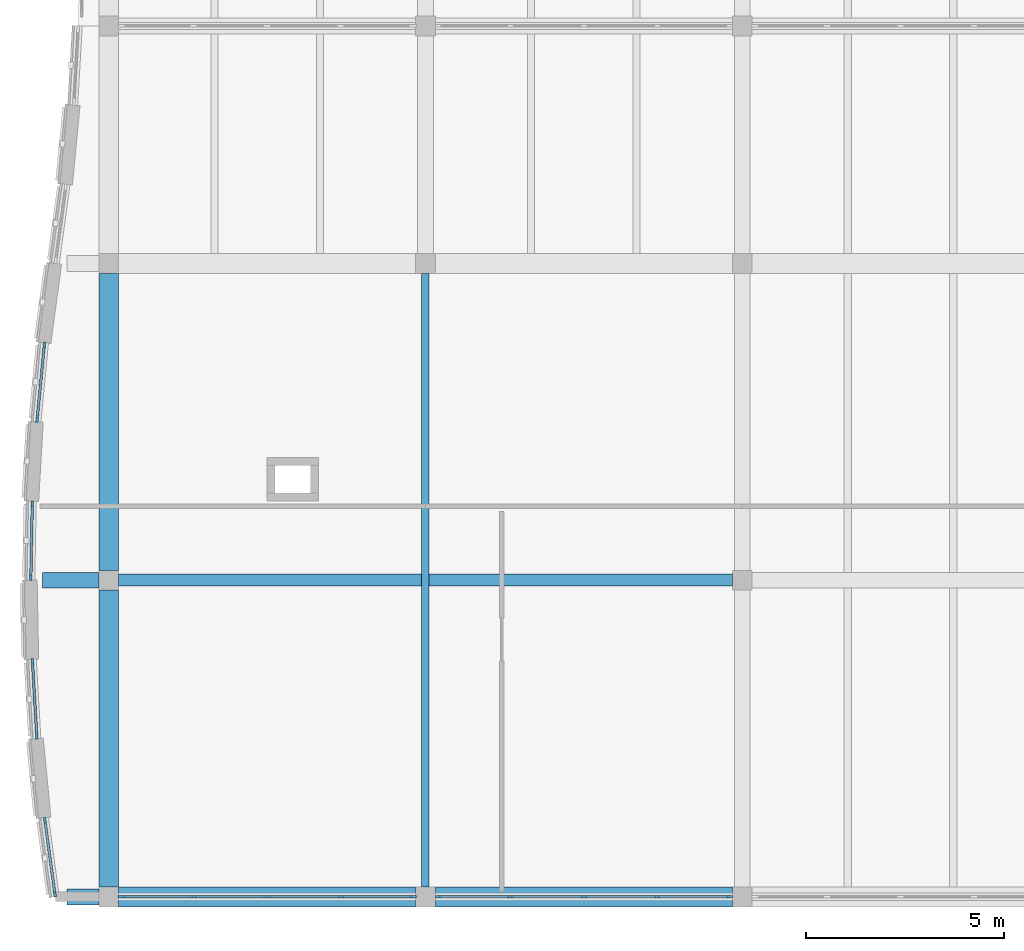
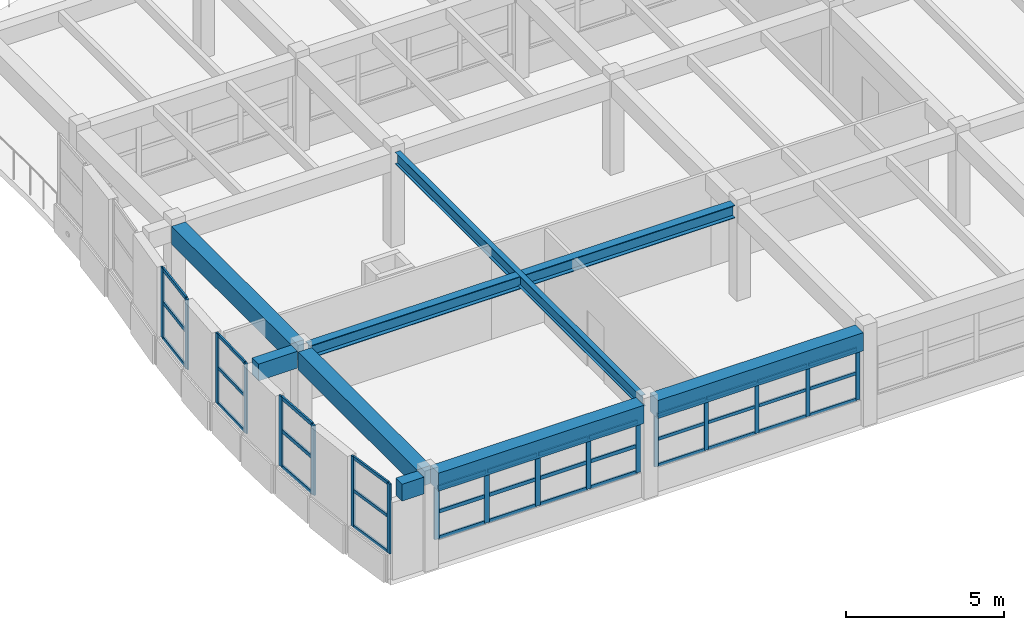
# One storey, part 4 of 89: 54 members, 8 beams, 6 elements without a shape of their own.
"""IFC4 building model written with IfcOpenShell, lengths in metres."""

from ifc_helpers import new_model, si_unit, direction, frame, origin, origin_2d, place, context, subcontext, project, spatial, rectangle, i_section, extrude, material, layer, layer_set, material_profile, profile_set, type_object, element, aggregate, save


model = new_model("IFC4")

# Units and contexts
model_context = context("Model", 3, precision=1e-05, world=origin(), true_north=direction((0.0, 1.0)))
body_context = subcontext(model_context, "Body", "Model", "MODEL_VIEW")
ifc_project = project(units=[si_unit("LENGTHUNIT", "METRE"), si_unit("AREAUNIT", "SQUARE_METRE"), si_unit("VOLUMEUNIT", "CUBIC_METRE"), si_unit("PLANEANGLEUNIT", "RADIAN"), si_unit("MASSUNIT", "GRAM", prefix="KILO")], contexts=[model_context])

# Site, building, storey
site_placement = place(None, origin())
site = spatial("IfcSite", under=ifc_project, at=site_placement, CompositionType="ELEMENT")
building_placement = place(site_placement, origin())
building = spatial("IfcBuilding", under=site, at=building_placement, Name="Tonlespit Floodbar School", CompositionType="ELEMENT")
storey_placement = place(building_placement, frame((0.0, 0.0, 4.5)))
storey = spatial("IfcBuildingStorey", under=building, at=storey_placement, Name="L01", CompositionType="ELEMENT", Elevation=4.5)

# Beams
ifc_material_1 = material(Name="Concrete C40/50", Category="concrete")
ifc_material_profile_1 = material_profile(ifc_material_1, rectangle(XDim=0.39990234375, YDim=0.64990234375, at=origin_2d()), Name="RC 400x650")
ifc_profile_set_1 = profile_set([ifc_material_profile_1], Name="Concrete C40/50")
beam_type_1 = type_object("IfcBeamType", Name="Beam_RC_400x650", PredefinedType="BEAM", material=ifc_profile_set_1)
beam_1_placement = place(storey_placement, frame((3.75, 4.0, 3.324951171875), z_axis=(-1.0, 0.0, 0.0), x_axis=(0.0, -1.0, 0.0)))
element("IfcBeam", 1, at=beam_1_placement, inside=storey, type_object=beam_type_1, Name="L01 west street wave cantilever bracket", PredefinedType="BEAM", context=body_context, shape_type="SweptSolid", body=[
    extrude(rectangle(XDim=0.39990234375, YDim=0.64990234375, at=origin_2d()), origin(), (0.0, 0.0, 1.0), 0.800048828125),
])
beam_2_placement = place(storey_placement, frame((3.75, 12.0, 3.324951171875), z_axis=(-1.0, 0.0, 0.0), x_axis=(0.0, -1.0, 0.0)))
element("IfcBeam", 2, at=beam_2_placement, inside=storey, type_object=beam_type_1, Name="L01 west street wave cantilever bracket", PredefinedType="BEAM", context=body_context, shape_type="SweptSolid", body=[
    extrude(rectangle(XDim=0.39990234375, YDim=0.64990234375, at=origin_2d()), origin(), (0.0, 0.0, 1.0), 1.419189453125),
])
ifc_material_2 = material(Name="Steel S355", Category="steel")
ifc_material_profile_2 = material_profile(ifc_material_2, i_section(OverallWidth=0.18994140625, OverallDepth=0.449951171875, WebThickness=0.009521484375, FlangeThickness=0.0146484375, at=origin_2d()), Name="IPE 450")
ifc_profile_set_2 = profile_set([ifc_material_profile_2], Name="Steel S355")
beam_type_2 = type_object("IfcBeamType", Name="Beam_STL_IPE450", PredefinedType="BEAM", material=ifc_profile_set_2)
beam_3_placement = place(storey_placement, frame((12.0, 4.25, 3.425048828125), z_axis=(0.0, 1.0, 0.0), x_axis=(-1.0, 0.0, 0.0)))
element("IfcBeam", 3, at=beam_3_placement, inside=storey, type_object=beam_type_2, Name="L01 girder 0675", PredefinedType="BEAM", context=body_context, shape_type="SweptSolid", body=[
    extrude(i_section(OverallWidth=0.18994140625, OverallDepth=0.449951171875, WebThickness=0.009521484375, FlangeThickness=0.0146484375, at=origin_2d()), origin(), (0.0, 0.0, 1.0), 15.5),
])

# Curtain wall, members
ifc_material_3 = material(Name="Anodised Aluminium", Category="aluminium")
ifc_layer_1 = layer(ifc_material_3, 0.159912109375)
ifc_layer_set_1 = layer_set([ifc_layer_1], Name="Anodised Aluminium")
curtain_wall_type_1 = type_object("IfcCurtainWallType", Name="CurtainWall_1950x2700", PredefinedType="NOTDEFINED", material=ifc_layer_set_1)
curtain_wall_1_placement = place(storey_placement, origin())
curtain_wall_1 = element("IfcCurtainWall", 4, at=curtain_wall_1_placement, inside=storey, type_object=curtain_wall_type_1, Name="L01 unitised curtain wall 0512", PredefinedType="NOTDEFINED")
ifc_material_profile_3 = material_profile(ifc_material_3, rectangle(XDim=0.06494140625, YDim=0.14990234375, at=origin_2d()), Name="ALU M65x150")
ifc_profile_set_3 = profile_set([ifc_material_profile_3], Name="Anodised Aluminium")
member_type_1 = type_object("IfcMemberType", Name="CW_Mullion_65x150", PredefinedType="MULLION", material=ifc_profile_set_3)
member_1_placement = place(storey_placement, frame((2.64013671875, 4.07177734375, 0.949951171875), z_axis=(0.0, 0.0, 1.0), x_axis=(-0.990894096494, -0.134643564765, 0.0)))
member_1 = element("IfcMember", 5, at=member_1_placement, type_object=member_type_1, Name="CW-04 mullion 1", PredefinedType="MULLION", context=body_context, shape_type="SweptSolid", body=[
    extrude(rectangle(XDim=0.06494140625, YDim=0.14990234375, at=origin_2d()), origin(), (0.0, 0.0, 1.0), 2.699951171875),
])
member_2_placement = place(storey_placement, frame((2.387939453125, 5.92822265625, 0.949951171875), z_axis=(0.0, 0.0, 1.0), x_axis=(-0.990894096494, -0.134643564765, 0.0)))
member_2 = element("IfcMember", 6, at=member_2_placement, type_object=member_type_1, Name="CW-04 mullion 2", PredefinedType="MULLION", context=body_context, shape_type="SweptSolid", body=[
    extrude(rectangle(XDim=0.06494140625, YDim=0.14990234375, at=origin_2d()), origin(), (0.0, 0.0, 1.0), 2.699951171875),
])

ifc_layer_2 = layer(ifc_material_3, 0.159912109375)
ifc_layer_set_2 = layer_set([ifc_layer_2], Name="Anodised Aluminium")
curtain_wall_type_2 = type_object("IfcCurtainWallType", Name="CurtainWall_1900x2700", PredefinedType="NOTDEFINED", material=ifc_layer_set_2)
curtain_wall_2_placement = place(storey_placement, origin())
curtain_wall_2 = element("IfcCurtainWall", 7, at=curtain_wall_2_placement, inside=storey, type_object=curtain_wall_type_2, Name="L01 unitised curtain wall 0514", PredefinedType="NOTDEFINED")
member_3_placement = place(storey_placement, frame((2.0322265625, 12.072509765625, 0.949951171875), z_axis=(0.0, 0.0, 1.0), x_axis=(-0.999815370969, 0.019215201653, 0.0)))
member_3 = element("IfcMember", 8, at=member_3_placement, type_object=member_type_1, Name="CW-05 mullion 1", PredefinedType="MULLION", context=body_context, shape_type="SweptSolid", body=[
    extrude(rectangle(XDim=0.06494140625, YDim=0.14990234375, at=origin_2d()), origin(), (0.0, 0.0, 1.0), 2.699951171875),
])
member_4_placement = place(storey_placement, frame((2.06787109375, 13.927490234375, 0.949951171875), z_axis=(0.0, 0.0, 1.0), x_axis=(-0.999815370969, 0.019215201653, 0.0)))
member_4 = element("IfcMember", 9, at=member_4_placement, type_object=member_type_1, Name="CW-05 mullion 2", PredefinedType="MULLION", context=body_context, shape_type="SweptSolid", body=[
    extrude(rectangle(XDim=0.06494140625, YDim=0.14990234375, at=origin_2d()), origin(), (0.0, 0.0, 1.0), 2.699951171875),
])

ifc_layer_3 = layer(ifc_material_3, 0.159912109375)
ifc_layer_set_3 = layer_set([ifc_layer_3], Name="Anodised Aluminium")
curtain_wall_type_3 = type_object("IfcCurtainWallType", Name="CurtainWall_7400x2000", PredefinedType="NOTDEFINED", material=ifc_layer_set_3)
curtain_wall_3_placement = place(storey_placement, origin())
curtain_wall_3 = element("IfcCurtainWall", 10, at=curtain_wall_3_placement, inside=storey, type_object=curtain_wall_type_3, Name="L01 unitised curtain wall 0520", PredefinedType="NOTDEFINED")
member_5_placement = place(storey_placement, frame((19.677490234375, 4.0, 0.949951171875), z_axis=(0.0, 0.0, 1.0), x_axis=(0.0, -1.0, 0.0)))
member_5 = element("IfcMember", 11, at=member_5_placement, type_object=member_type_1, Name="CW-60 mullion 1", PredefinedType="MULLION", context=body_context, shape_type="SweptSolid", body=[
    extrude(rectangle(XDim=0.06494140625, YDim=0.14990234375, at=origin_2d()), origin(), (0.0, 0.0, 1.0), 2.0),
])
member_6_placement = place(storey_placement, frame((17.85498046875, 4.0, 0.949951171875), z_axis=(0.0, 0.0, 1.0), x_axis=(0.0, -1.0, 0.0)))
member_6 = element("IfcMember", 12, at=member_6_placement, type_object=member_type_1, Name="CW-60 mullion 2", PredefinedType="MULLION", context=body_context, shape_type="SweptSolid", body=[
    extrude(rectangle(XDim=0.06494140625, YDim=0.14990234375, at=origin_2d()), origin(), (0.0, 0.0, 1.0), 2.0),
])
member_7_placement = place(storey_placement, frame((16.0, 4.0, 0.949951171875), z_axis=(0.0, 0.0, 1.0), x_axis=(0.0, -1.0, 0.0)))
member_7 = element("IfcMember", 13, at=member_7_placement, type_object=member_type_1, Name="CW-60 mullion 3", PredefinedType="MULLION", context=body_context, shape_type="SweptSolid", body=[
    extrude(rectangle(XDim=0.06494140625, YDim=0.14990234375, at=origin_2d()), origin(), (0.0, 0.0, 1.0), 2.0),
])
member_8_placement = place(storey_placement, frame((14.14501953125, 4.0, 0.949951171875), z_axis=(0.0, 0.0, 1.0), x_axis=(0.0, -1.0, 0.0)))
member_8 = element("IfcMember", 14, at=member_8_placement, type_object=member_type_1, Name="CW-60 mullion 4", PredefinedType="MULLION", context=body_context, shape_type="SweptSolid", body=[
    extrude(rectangle(XDim=0.06494140625, YDim=0.14990234375, at=origin_2d()), origin(), (0.0, 0.0, 1.0), 2.0),
])
member_9_placement = place(storey_placement, frame((12.322509765625, 4.0, 0.949951171875), z_axis=(0.0, 0.0, 1.0), x_axis=(0.0, -1.0, 0.0)))
member_9 = element("IfcMember", 15, at=member_9_placement, type_object=member_type_1, Name="CW-60 mullion 5", PredefinedType="MULLION", context=body_context, shape_type="SweptSolid", body=[
    extrude(rectangle(XDim=0.06494140625, YDim=0.14990234375, at=origin_2d()), origin(), (0.0, 0.0, 1.0), 2.0),
])

curtain_wall_4_placement = place(storey_placement, origin())
curtain_wall_4 = element("IfcCurtainWall", 16, at=curtain_wall_4_placement, inside=storey, type_object=curtain_wall_type_2, Name="L01 unitised curtain wall 0513", PredefinedType="NOTDEFINED")
ifc_material_profile_4 = material_profile(ifc_material_3, rectangle(XDim=0.06494140625, YDim=0.179931640625, at=origin_2d()), Name="ALU M65x180")
ifc_profile_set_4 = profile_set([ifc_material_profile_4], Name="Anodised Aluminium")
member_type_2 = type_object("IfcMemberType", Name="CW_Mullion_65x180", PredefinedType="MULLION", material=ifc_profile_set_4)
member_10_placement = place(storey_placement, frame((2.180908203125, 8.072265625, 0.949951171875), z_axis=(0.0, 0.0, 1.0), x_axis=(-0.998333381227, -0.057710137129, 0.0)))
member_10 = element("IfcMember", 17, at=member_10_placement, type_object=member_type_2, Name="CW-05 mullion 1", PredefinedType="MULLION", context=body_context, shape_type="SweptSolid", body=[
    extrude(rectangle(XDim=0.06494140625, YDim=0.179931640625, at=origin_2d()), origin(), (0.0, 0.0, 1.0), 2.699951171875),
])
member_11_placement = place(storey_placement, frame((2.073486328125, 9.927734375, 0.949951171875), z_axis=(0.0, 0.0, 1.0), x_axis=(-0.998333381227, -0.057710137129, 0.0)))
member_11 = element("IfcMember", 18, at=member_11_placement, type_object=member_type_2, Name="CW-05 mullion 2", PredefinedType="MULLION", context=body_context, shape_type="SweptSolid", body=[
    extrude(rectangle(XDim=0.06494140625, YDim=0.179931640625, at=origin_2d()), origin(), (0.0, 0.0, 1.0), 2.699951171875),
])

curtain_wall_5_placement = place(storey_placement, origin())
curtain_wall_5 = element("IfcCurtainWall", 19, at=curtain_wall_5_placement, inside=storey, type_object=curtain_wall_type_1, Name="L01 unitised curtain wall 0515", PredefinedType="NOTDEFINED")
member_12_placement = place(storey_placement, frame((2.19189453125, 16.072265625, 0.949951171875), z_axis=(0.0, 0.0, 1.0), x_axis=(-0.995362188546, 0.096198303585, 0.0)))
member_12 = element("IfcMember", 20, at=member_12_placement, type_object=member_type_2, Name="CW-04 mullion 1", PredefinedType="MULLION", context=body_context, shape_type="SweptSolid", body=[
    extrude(rectangle(XDim=0.06494140625, YDim=0.179931640625, at=origin_2d()), origin(), (0.0, 0.0, 1.0), 2.699951171875),
])
member_13_placement = place(storey_placement, frame((2.371337890625, 17.927734375, 0.949951171875), z_axis=(0.0, 0.0, 1.0), x_axis=(-0.995362188546, 0.096198303585, 0.0)))
member_13 = element("IfcMember", 21, at=member_13_placement, type_object=member_type_2, Name="CW-04 mullion 2", PredefinedType="MULLION", context=body_context, shape_type="SweptSolid", body=[
    extrude(rectangle(XDim=0.06494140625, YDim=0.179931640625, at=origin_2d()), origin(), (0.0, 0.0, 1.0), 2.699951171875),
])

curtain_wall_6_placement = place(storey_placement, origin())
curtain_wall_6 = element("IfcCurtainWall", 22, at=curtain_wall_6_placement, inside=storey, type_object=curtain_wall_type_3, Name="L01 unitised curtain wall 0521", PredefinedType="NOTDEFINED")
member_14_placement = place(storey_placement, frame((11.677490234375, 4.0, 0.949951171875), z_axis=(0.0, 0.0, 1.0), x_axis=(0.0, -1.0, 0.0)))
member_14 = element("IfcMember", 23, at=member_14_placement, type_object=member_type_2, Name="CW-60 mullion 1", PredefinedType="MULLION", context=body_context, shape_type="SweptSolid", body=[
    extrude(rectangle(XDim=0.06494140625, YDim=0.179931640625, at=origin_2d()), origin(), (0.0, 0.0, 1.0), 2.0),
])
member_15_placement = place(storey_placement, frame((9.85498046875, 4.0, 0.949951171875), z_axis=(0.0, 0.0, 1.0), x_axis=(0.0, -1.0, 0.0)))
member_15 = element("IfcMember", 24, at=member_15_placement, type_object=member_type_2, Name="CW-60 mullion 2", PredefinedType="MULLION", context=body_context, shape_type="SweptSolid", body=[
    extrude(rectangle(XDim=0.06494140625, YDim=0.179931640625, at=origin_2d()), origin(), (0.0, 0.0, 1.0), 2.0),
])
member_16_placement = place(storey_placement, frame((8.0, 4.0, 0.949951171875), z_axis=(0.0, 0.0, 1.0), x_axis=(0.0, -1.0, 0.0)))
member_16 = element("IfcMember", 25, at=member_16_placement, type_object=member_type_2, Name="CW-60 mullion 3", PredefinedType="MULLION", context=body_context, shape_type="SweptSolid", body=[
    extrude(rectangle(XDim=0.06494140625, YDim=0.179931640625, at=origin_2d()), origin(), (0.0, 0.0, 1.0), 2.0),
])
member_17_placement = place(storey_placement, frame((6.14501953125, 4.0, 0.949951171875), z_axis=(0.0, 0.0, 1.0), x_axis=(0.0, -1.0, 0.0)))
member_17 = element("IfcMember", 26, at=member_17_placement, type_object=member_type_2, Name="CW-60 mullion 4", PredefinedType="MULLION", context=body_context, shape_type="SweptSolid", body=[
    extrude(rectangle(XDim=0.06494140625, YDim=0.179931640625, at=origin_2d()), origin(), (0.0, 0.0, 1.0), 2.0),
])
member_18_placement = place(storey_placement, frame((4.322509765625, 4.0, 0.949951171875), z_axis=(0.0, 0.0, 1.0), x_axis=(0.0, -1.0, 0.0)))
member_18 = element("IfcMember", 27, at=member_18_placement, type_object=member_type_2, Name="CW-60 mullion 5", PredefinedType="MULLION", context=body_context, shape_type="SweptSolid", body=[
    extrude(rectangle(XDim=0.06494140625, YDim=0.179931640625, at=origin_2d()), origin(), (0.0, 0.0, 1.0), 2.0),
])

# Member
ifc_material_profile_5 = material_profile(ifc_material_3, rectangle(XDim=0.06494140625, YDim=0.1201171875, at=origin_2d()), Name="ALU T65x120")
ifc_profile_set_5 = profile_set([ifc_material_profile_5], Name="Anodised Aluminium")
member_type_3 = type_object("IfcMemberType", Name="CW_Transom_65x120", PredefinedType="USERDEFINED", material=ifc_profile_set_5)
member_19_placement = place(storey_placement, frame((2.6357421875, 4.10400390625, 0.982421875), z_axis=(-0.1345950926, 0.990900681728, 0.0), x_axis=(-0.990900681728, -0.1345950926, 0.0)))
member_19 = element("IfcMember", 28, at=member_19_placement, type_object=member_type_3, Name="CW-04 transom 1.1", ObjectType="TRANSOM", PredefinedType="USERDEFINED", context=body_context, shape_type="SweptSolid", body=[
    extrude(rectangle(XDim=0.06494140625, YDim=0.1201171875, at=origin_2d()), origin(), (0.0, 0.0, 1.0), 1.808349609375),
])

member_20_placement = place(storey_placement, frame((2.6357421875, 4.10400390625, 2.35400390625), z_axis=(-0.1345950926, 0.990900681728, 0.0), x_axis=(-0.990900681728, -0.1345950926, 0.0)))
member_20 = element("IfcMember", 29, at=member_20_placement, type_object=member_type_3, Name="CW-04 transom 1.2", ObjectType="TRANSOM", PredefinedType="USERDEFINED", context=body_context, shape_type="SweptSolid", body=[
    extrude(rectangle(XDim=0.06494140625, YDim=0.1201171875, at=origin_2d()), origin(), (0.0, 0.0, 1.0), 1.808349609375),
])

member_21_placement = place(storey_placement, frame((2.6357421875, 4.10400390625, 3.617431640625), z_axis=(-0.1345950926, 0.990900681728, 0.0), x_axis=(-0.990900681728, -0.1345950926, 0.0)))
member_21 = element("IfcMember", 30, at=member_21_placement, type_object=member_type_3, Name="CW-04 transom 1.3", ObjectType="TRANSOM", PredefinedType="USERDEFINED", context=body_context, shape_type="SweptSolid", body=[
    extrude(rectangle(XDim=0.06494140625, YDim=0.1201171875, at=origin_2d()), origin(), (0.0, 0.0, 1.0), 1.808349609375),
])

aggregate(curtain_wall_1, [member_1, member_2, member_19, member_20, member_21])

member_22_placement = place(storey_placement, frame((2.032958984375, 12.10498046875, 0.982421875), z_axis=(0.019227214231, 0.99981514003, 0.0), x_axis=(-0.99981514003, 0.019227214231, 0.0)))
member_22 = element("IfcMember", 31, at=member_22_placement, type_object=member_type_3, Name="CW-05 transom 1.1", ObjectType="TRANSOM", PredefinedType="USERDEFINED", context=body_context, shape_type="SweptSolid", body=[
    extrude(rectangle(XDim=0.06494140625, YDim=0.1201171875, at=origin_2d()), origin(), (0.0, 0.0, 1.0), 1.790283203125),
])

member_23_placement = place(storey_placement, frame((2.032958984375, 12.10498046875, 2.35400390625), z_axis=(0.019227214231, 0.99981514003, 0.0), x_axis=(-0.99981514003, 0.019227214231, 0.0)))
member_23 = element("IfcMember", 32, at=member_23_placement, type_object=member_type_3, Name="CW-05 transom 1.2", ObjectType="TRANSOM", PredefinedType="USERDEFINED", context=body_context, shape_type="SweptSolid", body=[
    extrude(rectangle(XDim=0.06494140625, YDim=0.1201171875, at=origin_2d()), origin(), (0.0, 0.0, 1.0), 1.790283203125),
])

member_24_placement = place(storey_placement, frame((2.032958984375, 12.10498046875, 3.617431640625), z_axis=(0.019227214231, 0.99981514003, 0.0), x_axis=(-0.99981514003, 0.019227214231, 0.0)))
member_24 = element("IfcMember", 33, at=member_24_placement, type_object=member_type_3, Name="CW-05 transom 1.3", ObjectType="TRANSOM", PredefinedType="USERDEFINED", context=body_context, shape_type="SweptSolid", body=[
    extrude(rectangle(XDim=0.06494140625, YDim=0.1201171875, at=origin_2d()), origin(), (0.0, 0.0, 1.0), 1.790283203125),
])

aggregate(curtain_wall_2, [member_3, member_4, member_22, member_23, member_24])

member_25_placement = place(storey_placement, frame((19.64501953125, 4.0, 0.982421875), z_axis=(-1.0, 0.0, 0.0), x_axis=(0.0, -1.0, 0.0)))
member_25 = element("IfcMember", 34, at=member_25_placement, type_object=member_type_3, Name="CW-60 transom 1.1", ObjectType="TRANSOM", PredefinedType="USERDEFINED", context=body_context, shape_type="SweptSolid", body=[
    extrude(rectangle(XDim=0.06494140625, YDim=0.1201171875, at=origin_2d()), origin(), (0.0, 0.0, 1.0), 1.757568359375),
])

member_26_placement = place(storey_placement, frame((19.64501953125, 4.0, 1.989990234375), z_axis=(-1.0, 0.0, 0.0), x_axis=(0.0, -1.0, 0.0)))
member_26 = element("IfcMember", 35, at=member_26_placement, type_object=member_type_3, Name="CW-60 transom 1.2", ObjectType="TRANSOM", PredefinedType="USERDEFINED", context=body_context, shape_type="SweptSolid", body=[
    extrude(rectangle(XDim=0.06494140625, YDim=0.1201171875, at=origin_2d()), origin(), (0.0, 0.0, 1.0), 1.757568359375),
])

member_27_placement = place(storey_placement, frame((19.64501953125, 4.0, 2.91748046875), z_axis=(-1.0, 0.0, 0.0), x_axis=(0.0, -1.0, 0.0)))
member_27 = element("IfcMember", 36, at=member_27_placement, type_object=member_type_3, Name="CW-60 transom 1.3", ObjectType="TRANSOM", PredefinedType="USERDEFINED", context=body_context, shape_type="SweptSolid", body=[
    extrude(rectangle(XDim=0.06494140625, YDim=0.1201171875, at=origin_2d()), origin(), (0.0, 0.0, 1.0), 1.757568359375),
])

member_28_placement = place(storey_placement, frame((17.822509765625, 4.0, 0.982421875), z_axis=(-1.0, 0.0, 0.0), x_axis=(0.0, -1.0, 0.0)))
member_28 = element("IfcMember", 37, at=member_28_placement, type_object=member_type_3, Name="CW-60 transom 2.1", ObjectType="TRANSOM", PredefinedType="USERDEFINED", context=body_context, shape_type="SweptSolid", body=[
    extrude(rectangle(XDim=0.06494140625, YDim=0.1201171875, at=origin_2d()), origin(), (0.0, 0.0, 1.0), 1.7900390625),
])

member_29_placement = place(storey_placement, frame((17.822509765625, 4.0, 1.989990234375), z_axis=(-1.0, 0.0, 0.0), x_axis=(0.0, -1.0, 0.0)))
member_29 = element("IfcMember", 38, at=member_29_placement, type_object=member_type_3, Name="CW-60 transom 2.2", ObjectType="TRANSOM", PredefinedType="USERDEFINED", context=body_context, shape_type="SweptSolid", body=[
    extrude(rectangle(XDim=0.06494140625, YDim=0.1201171875, at=origin_2d()), origin(), (0.0, 0.0, 1.0), 1.7900390625),
])

member_30_placement = place(storey_placement, frame((17.822509765625, 4.0, 2.91748046875), z_axis=(-1.0, 0.0, 0.0), x_axis=(0.0, -1.0, 0.0)))
member_30 = element("IfcMember", 39, at=member_30_placement, type_object=member_type_3, Name="CW-60 transom 2.3", ObjectType="TRANSOM", PredefinedType="USERDEFINED", context=body_context, shape_type="SweptSolid", body=[
    extrude(rectangle(XDim=0.06494140625, YDim=0.1201171875, at=origin_2d()), origin(), (0.0, 0.0, 1.0), 1.7900390625),
])

member_31_placement = place(storey_placement, frame((15.967529296875, 4.0, 0.982421875), z_axis=(-1.0, 0.0, 0.0), x_axis=(0.0, -1.0, 0.0)))
member_31 = element("IfcMember", 40, at=member_31_placement, type_object=member_type_3, Name="CW-60 transom 3.1", ObjectType="TRANSOM", PredefinedType="USERDEFINED", context=body_context, shape_type="SweptSolid", body=[
    extrude(rectangle(XDim=0.06494140625, YDim=0.1201171875, at=origin_2d()), origin(), (0.0, 0.0, 1.0), 1.7900390625),
])

member_32_placement = place(storey_placement, frame((15.967529296875, 4.0, 1.989990234375), z_axis=(-1.0, 0.0, 0.0), x_axis=(0.0, -1.0, 0.0)))
member_32 = element("IfcMember", 41, at=member_32_placement, type_object=member_type_3, Name="CW-60 transom 3.2", ObjectType="TRANSOM", PredefinedType="USERDEFINED", context=body_context, shape_type="SweptSolid", body=[
    extrude(rectangle(XDim=0.06494140625, YDim=0.1201171875, at=origin_2d()), origin(), (0.0, 0.0, 1.0), 1.7900390625),
])

member_33_placement = place(storey_placement, frame((15.967529296875, 4.0, 2.91748046875), z_axis=(-1.0, 0.0, 0.0), x_axis=(0.0, -1.0, 0.0)))
member_33 = element("IfcMember", 42, at=member_33_placement, type_object=member_type_3, Name="CW-60 transom 3.3", ObjectType="TRANSOM", PredefinedType="USERDEFINED", context=body_context, shape_type="SweptSolid", body=[
    extrude(rectangle(XDim=0.06494140625, YDim=0.1201171875, at=origin_2d()), origin(), (0.0, 0.0, 1.0), 1.7900390625),
])

member_34_placement = place(storey_placement, frame((14.112548828125, 4.0, 0.982421875), z_axis=(-1.0, 0.0, 0.0), x_axis=(0.0, -1.0, 0.0)))
member_34 = element("IfcMember", 43, at=member_34_placement, type_object=member_type_3, Name="CW-60 transom 4.1", ObjectType="TRANSOM", PredefinedType="USERDEFINED", context=body_context, shape_type="SweptSolid", body=[
    extrude(rectangle(XDim=0.06494140625, YDim=0.1201171875, at=origin_2d()), origin(), (0.0, 0.0, 1.0), 1.757568359375),
])

member_35_placement = place(storey_placement, frame((14.112548828125, 4.0, 1.989990234375), z_axis=(-1.0, 0.0, 0.0), x_axis=(0.0, -1.0, 0.0)))
member_35 = element("IfcMember", 44, at=member_35_placement, type_object=member_type_3, Name="CW-60 transom 4.2", ObjectType="TRANSOM", PredefinedType="USERDEFINED", context=body_context, shape_type="SweptSolid", body=[
    extrude(rectangle(XDim=0.06494140625, YDim=0.1201171875, at=origin_2d()), origin(), (0.0, 0.0, 1.0), 1.757568359375),
])

member_36_placement = place(storey_placement, frame((14.112548828125, 4.0, 2.91748046875), z_axis=(-1.0, 0.0, 0.0), x_axis=(0.0, -1.0, 0.0)))
member_36 = element("IfcMember", 45, at=member_36_placement, type_object=member_type_3, Name="CW-60 transom 4.3", ObjectType="TRANSOM", PredefinedType="USERDEFINED", context=body_context, shape_type="SweptSolid", body=[
    extrude(rectangle(XDim=0.06494140625, YDim=0.1201171875, at=origin_2d()), origin(), (0.0, 0.0, 1.0), 1.757568359375),
])

aggregate(curtain_wall_3, [member_5, member_6, member_7, member_8, member_9, member_25, member_26, member_27, member_28, member_29, member_30, member_31, member_32, member_33, member_34, member_35, member_36])

ifc_material_profile_6 = material_profile(ifc_material_3, rectangle(XDim=0.06494140625, YDim=0.139892578125, at=origin_2d()), Name="ALU T65x140")
ifc_profile_set_6 = profile_set([ifc_material_profile_6], Name="Anodised Aluminium")
member_type_4 = type_object("IfcMemberType", Name="CW_Transom_65x140", PredefinedType="USERDEFINED", material=ifc_profile_set_6)
member_37_placement = place(storey_placement, frame((2.178955078125, 8.104736328125, 0.982421875), z_axis=(-0.057716552548, 0.998333010354, 0.0), x_axis=(-0.998333010354, -0.057716552548, 0.0)))
member_37 = element("IfcMember", 46, at=member_37_placement, type_object=member_type_4, Name="CW-05 transom 1.1", ObjectType="TRANSOM", PredefinedType="USERDEFINED", context=body_context, shape_type="SweptSolid", body=[
    extrude(rectangle(XDim=0.06494140625, YDim=0.139892578125, at=origin_2d()), origin(), (0.0, 0.0, 1.0), 1.79345703125),
])

member_38_placement = place(storey_placement, frame((2.178955078125, 8.104736328125, 2.35400390625), z_axis=(-0.057716552548, 0.998333010354, 0.0), x_axis=(-0.998333010354, -0.057716552548, 0.0)))
member_38 = element("IfcMember", 47, at=member_38_placement, type_object=member_type_4, Name="CW-05 transom 1.2", ObjectType="TRANSOM", PredefinedType="USERDEFINED", context=body_context, shape_type="SweptSolid", body=[
    extrude(rectangle(XDim=0.06494140625, YDim=0.139892578125, at=origin_2d()), origin(), (0.0, 0.0, 1.0), 1.79345703125),
])

member_39_placement = place(storey_placement, frame((2.178955078125, 8.104736328125, 3.617431640625), z_axis=(-0.057716552548, 0.998333010354, 0.0), x_axis=(-0.998333010354, -0.057716552548, 0.0)))
member_39 = element("IfcMember", 48, at=member_39_placement, type_object=member_type_4, Name="CW-05 transom 1.3", ObjectType="TRANSOM", PredefinedType="USERDEFINED", context=body_context, shape_type="SweptSolid", body=[
    extrude(rectangle(XDim=0.06494140625, YDim=0.139892578125, at=origin_2d()), origin(), (0.0, 0.0, 1.0), 1.79345703125),
])

aggregate(curtain_wall_4, [member_10, member_11, member_37, member_38, member_39])

member_40_placement = place(storey_placement, frame((2.195068359375, 16.1044921875, 0.982421875), z_axis=(0.096198443578, 0.995362175016, 0.0), x_axis=(-0.995362175016, 0.096198443578, 0.0)))
member_40 = element("IfcMember", 49, at=member_40_placement, type_object=member_type_4, Name="CW-04 transom 1.1", ObjectType="TRANSOM", PredefinedType="USERDEFINED", context=body_context, shape_type="SweptSolid", body=[
    extrude(rectangle(XDim=0.06494140625, YDim=0.139892578125, at=origin_2d()), origin(), (0.0, 0.0, 1.0), 1.79931640625),
])

member_41_placement = place(storey_placement, frame((2.195068359375, 16.1044921875, 2.35400390625), z_axis=(0.096198443578, 0.995362175016, 0.0), x_axis=(-0.995362175016, 0.096198443578, 0.0)))
member_41 = element("IfcMember", 50, at=member_41_placement, type_object=member_type_4, Name="CW-04 transom 1.2", ObjectType="TRANSOM", PredefinedType="USERDEFINED", context=body_context, shape_type="SweptSolid", body=[
    extrude(rectangle(XDim=0.06494140625, YDim=0.139892578125, at=origin_2d()), origin(), (0.0, 0.0, 1.0), 1.79931640625),
])

member_42_placement = place(storey_placement, frame((2.195068359375, 16.1044921875, 3.617431640625), z_axis=(0.096198443578, 0.995362175016, 0.0), x_axis=(-0.995362175016, 0.096198443578, 0.0)))
member_42 = element("IfcMember", 51, at=member_42_placement, type_object=member_type_4, Name="CW-04 transom 1.3", ObjectType="TRANSOM", PredefinedType="USERDEFINED", context=body_context, shape_type="SweptSolid", body=[
    extrude(rectangle(XDim=0.06494140625, YDim=0.139892578125, at=origin_2d()), origin(), (0.0, 0.0, 1.0), 1.79931640625),
])

aggregate(curtain_wall_5, [member_12, member_13, member_40, member_41, member_42])

member_43_placement = place(storey_placement, frame((11.64501953125, 4.0, 0.982421875), z_axis=(-1.0, 0.0, 0.0), x_axis=(0.0, -1.0, 0.0)))
member_43 = element("IfcMember", 52, at=member_43_placement, type_object=member_type_4, Name="CW-60 transom 1.1", ObjectType="TRANSOM", PredefinedType="USERDEFINED", context=body_context, shape_type="SweptSolid", body=[
    extrude(rectangle(XDim=0.06494140625, YDim=0.139892578125, at=origin_2d()), origin(), (0.0, 0.0, 1.0), 1.757568359375),
])

member_44_placement = place(storey_placement, frame((11.64501953125, 4.0, 1.989990234375), z_axis=(-1.0, 0.0, 0.0), x_axis=(0.0, -1.0, 0.0)))
member_44 = element("IfcMember", 53, at=member_44_placement, type_object=member_type_4, Name="CW-60 transom 1.2", ObjectType="TRANSOM", PredefinedType="USERDEFINED", context=body_context, shape_type="SweptSolid", body=[
    extrude(rectangle(XDim=0.06494140625, YDim=0.139892578125, at=origin_2d()), origin(), (0.0, 0.0, 1.0), 1.757568359375),
])

member_45_placement = place(storey_placement, frame((11.64501953125, 4.0, 2.91748046875), z_axis=(-1.0, 0.0, 0.0), x_axis=(0.0, -1.0, 0.0)))
member_45 = element("IfcMember", 54, at=member_45_placement, type_object=member_type_4, Name="CW-60 transom 1.3", ObjectType="TRANSOM", PredefinedType="USERDEFINED", context=body_context, shape_type="SweptSolid", body=[
    extrude(rectangle(XDim=0.06494140625, YDim=0.139892578125, at=origin_2d()), origin(), (0.0, 0.0, 1.0), 1.757568359375),
])

member_46_placement = place(storey_placement, frame((9.822509765625, 4.0, 0.982421875), z_axis=(-1.0, 0.0, 0.0), x_axis=(0.0, -1.0, 0.0)))
member_46 = element("IfcMember", 55, at=member_46_placement, type_object=member_type_4, Name="CW-60 transom 2.1", ObjectType="TRANSOM", PredefinedType="USERDEFINED", context=body_context, shape_type="SweptSolid", body=[
    extrude(rectangle(XDim=0.06494140625, YDim=0.139892578125, at=origin_2d()), origin(), (0.0, 0.0, 1.0), 1.7900390625),
])

member_47_placement = place(storey_placement, frame((9.822509765625, 4.0, 1.989990234375), z_axis=(-1.0, 0.0, 0.0), x_axis=(0.0, -1.0, 0.0)))
member_47 = element("IfcMember", 56, at=member_47_placement, type_object=member_type_4, Name="CW-60 transom 2.2", ObjectType="TRANSOM", PredefinedType="USERDEFINED", context=body_context, shape_type="SweptSolid", body=[
    extrude(rectangle(XDim=0.06494140625, YDim=0.139892578125, at=origin_2d()), origin(), (0.0, 0.0, 1.0), 1.7900390625),
])

member_48_placement = place(storey_placement, frame((9.822509765625, 4.0, 2.91748046875), z_axis=(-1.0, 0.0, 0.0), x_axis=(0.0, -1.0, 0.0)))
member_48 = element("IfcMember", 57, at=member_48_placement, type_object=member_type_4, Name="CW-60 transom 2.3", ObjectType="TRANSOM", PredefinedType="USERDEFINED", context=body_context, shape_type="SweptSolid", body=[
    extrude(rectangle(XDim=0.06494140625, YDim=0.139892578125, at=origin_2d()), origin(), (0.0, 0.0, 1.0), 1.7900390625),
])

member_49_placement = place(storey_placement, frame((7.967529296875, 4.0, 0.982421875), z_axis=(-1.0, 0.0, 0.0), x_axis=(0.0, -1.0, 0.0)))
member_49 = element("IfcMember", 58, at=member_49_placement, type_object=member_type_4, Name="CW-60 transom 3.1", ObjectType="TRANSOM", PredefinedType="USERDEFINED", context=body_context, shape_type="SweptSolid", body=[
    extrude(rectangle(XDim=0.06494140625, YDim=0.139892578125, at=origin_2d()), origin(), (0.0, 0.0, 1.0), 1.7900390625),
])

member_50_placement = place(storey_placement, frame((7.967529296875, 4.0, 1.989990234375), z_axis=(-1.0, 0.0, 0.0), x_axis=(0.0, -1.0, 0.0)))
member_50 = element("IfcMember", 59, at=member_50_placement, type_object=member_type_4, Name="CW-60 transom 3.2", ObjectType="TRANSOM", PredefinedType="USERDEFINED", context=body_context, shape_type="SweptSolid", body=[
    extrude(rectangle(XDim=0.06494140625, YDim=0.139892578125, at=origin_2d()), origin(), (0.0, 0.0, 1.0), 1.7900390625),
])

member_51_placement = place(storey_placement, frame((7.967529296875, 4.0, 2.91748046875), z_axis=(-1.0, 0.0, 0.0), x_axis=(0.0, -1.0, 0.0)))
member_51 = element("IfcMember", 60, at=member_51_placement, type_object=member_type_4, Name="CW-60 transom 3.3", ObjectType="TRANSOM", PredefinedType="USERDEFINED", context=body_context, shape_type="SweptSolid", body=[
    extrude(rectangle(XDim=0.06494140625, YDim=0.139892578125, at=origin_2d()), origin(), (0.0, 0.0, 1.0), 1.7900390625),
])

member_52_placement = place(storey_placement, frame((6.112548828125, 4.0, 0.982421875), z_axis=(-1.0, 0.0, 0.0), x_axis=(0.0, -1.0, 0.0)))
member_52 = element("IfcMember", 61, at=member_52_placement, type_object=member_type_4, Name="CW-60 transom 4.1", ObjectType="TRANSOM", PredefinedType="USERDEFINED", context=body_context, shape_type="SweptSolid", body=[
    extrude(rectangle(XDim=0.06494140625, YDim=0.139892578125, at=origin_2d()), origin(), (0.0, 0.0, 1.0), 1.757568359375),
])

member_53_placement = place(storey_placement, frame((6.112548828125, 4.0, 1.989990234375), z_axis=(-1.0, 0.0, 0.0), x_axis=(0.0, -1.0, 0.0)))
member_53 = element("IfcMember", 62, at=member_53_placement, type_object=member_type_4, Name="CW-60 transom 4.2", ObjectType="TRANSOM", PredefinedType="USERDEFINED", context=body_context, shape_type="SweptSolid", body=[
    extrude(rectangle(XDim=0.06494140625, YDim=0.139892578125, at=origin_2d()), origin(), (0.0, 0.0, 1.0), 1.757568359375),
])

member_54_placement = place(storey_placement, frame((6.112548828125, 4.0, 2.91748046875), z_axis=(-1.0, 0.0, 0.0), x_axis=(0.0, -1.0, 0.0)))
member_54 = element("IfcMember", 63, at=member_54_placement, type_object=member_type_4, Name="CW-60 transom 4.3", ObjectType="TRANSOM", PredefinedType="USERDEFINED", context=body_context, shape_type="SweptSolid", body=[
    extrude(rectangle(XDim=0.06494140625, YDim=0.139892578125, at=origin_2d()), origin(), (0.0, 0.0, 1.0), 1.757568359375),
])

aggregate(curtain_wall_6, [member_14, member_15, member_16, member_17, member_18, member_43, member_44, member_45, member_46, member_47, member_48, member_49, member_50, member_51, member_52, member_53, member_54])

# Beams
ifc_material_profile_7 = material_profile(ifc_material_2, i_section(OverallWidth=0.300048828125, OverallDepth=0.489990234375, WebThickness=0.011962890625, FlangeThickness=0.02294921875, at=origin_2d()), Name="HEA 500")
ifc_profile_set_7 = profile_set([ifc_material_profile_7], Name="Steel S355")
beam_type_3 = type_object("IfcBeamType", Name="RingBeam_STL_HEA500", PredefinedType="BEAM", material=ifc_profile_set_7)
beam_4_placement = place(storey_placement, frame((4.25, 12.0, 3.405029296875), z_axis=(1.0, 0.0, 0.0), x_axis=(0.0, 1.0, 0.0)))
element("IfcBeam", 64, at=beam_4_placement, inside=storey, type_object=beam_type_3, Name="L01 girder 0549", PredefinedType="BEAM", context=body_context, shape_type="SweptSolid", body=[
    extrude(i_section(OverallWidth=0.300048828125, OverallDepth=0.489990234375, WebThickness=0.011962890625, FlangeThickness=0.02294921875, at=origin_2d()), origin(), (0.0, 0.0, 1.0), 15.5),
])
ifc_material_profile_8 = material_profile(ifc_material_1, rectangle(XDim=0.5, YDim=0.699951171875, at=origin_2d()), Name="RC 500x700")
ifc_profile_set_8 = profile_set([ifc_material_profile_8], Name="Concrete C40/50")
beam_type_4 = type_object("IfcBeamType", Name="Spandrel_RC_500x700", PredefinedType="SPANDREL", material=ifc_profile_set_8)
for number, where, z_axis, x_axis, name in (
    (65, (4.25, 4.0, 3.300048828125), (1.0, 0.0, 0.0), (0.0, 1.0, 0.0), "L01 girder 0545"),
    (66, (12.25, 4.0, 3.300048828125), (1.0, 0.0, 0.0), (0.0, 1.0, 0.0), "L01 girder 0546"),
    (67, (4.0, 4.25, 3.300048828125), (0.0, 1.0, 0.0), (-1.0, 0.0, 0.0), "L01 girder 0671"),
    (68, (4.0, 12.25, 3.300048828125), (0.0, 1.0, 0.0), (-1.0, 0.0, 0.0), "L01 girder 0672"),
):
    element("IfcBeam", number, at=place(storey_placement, frame(where, z_axis=z_axis, x_axis=x_axis)), inside=storey, type_object=beam_type_4, Name=name, PredefinedType="SPANDREL", context=body_context, shape_type="SweptSolid", body=[
        extrude(rectangle(XDim=0.5, YDim=0.699951171875, at=origin_2d()), origin(), (0.0, 0.0, 1.0), 7.5),
    ])

save(model, "model.ifc")
